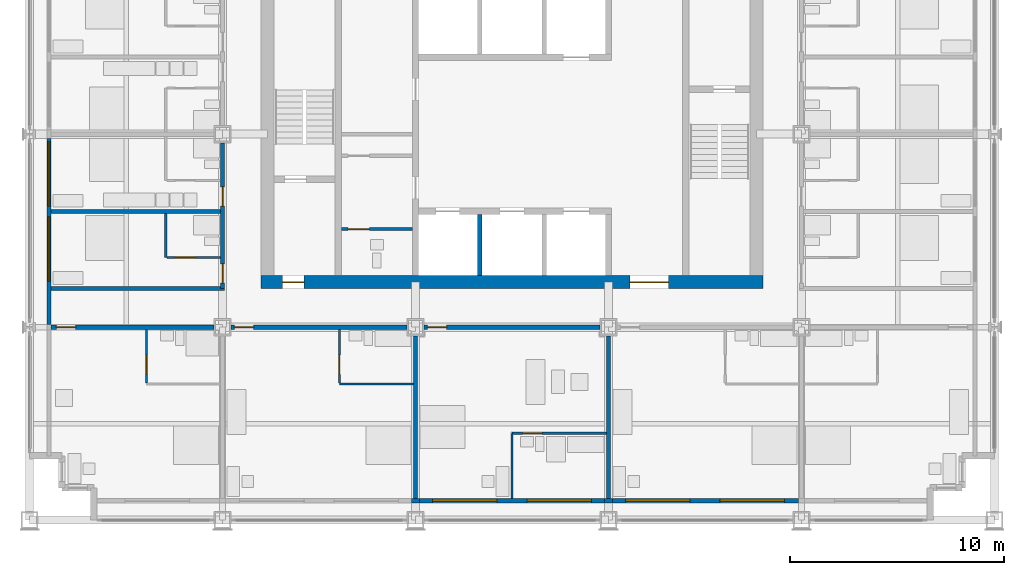
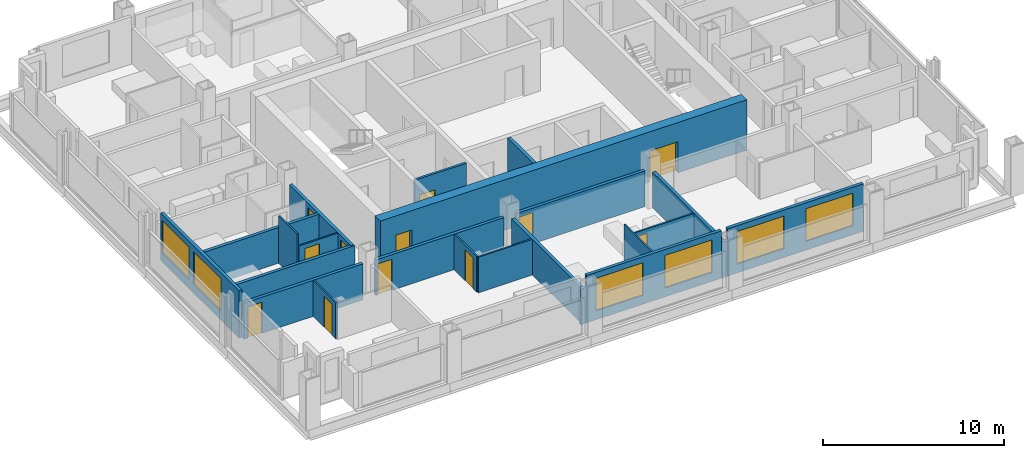
# One storey, part 9 of 16: 23 walls, 12 doors, 6 windows, 18 openings.
"""IFC4 building model written with IfcOpenShell, lengths in metres."""

import ifcopenshell
import ifcopenshell.guid

model = None  # the IFC model being written
_history = None  # IfcOwnerHistory: only IFC2X3 demands one
_inside = {}  # id of a spatial element -> (the spatial element, [elements in it])
_under = {}  # id of a project, library or spatial element -> (it, [spatial elements below it])
_declared = {}  # id of a project -> (the project, [libraries it declares])
_typed = {}  # id of a type object -> (the type object, [elements of that type])
_made_of = {}  # id of a material, layer set ... -> (it, [elements and type objects made of it])


def new_model(schema):
    """Start an empty IFC model of exactly this schema.

    Asked for "IFC4X3", IfcOpenShell would pick the latest addendum, in which some entities
    have other attributes; the version numbers below select the first issue.
    IFC2X3 requires an IfcOwnerHistory on every rooted entity: one is made here for all.
    """
    global model, _history
    if schema == "IFC4X3":
        model = ifcopenshell.file(schema_version=(4, 3, 0, 0))
    else:
        model = ifcopenshell.file(schema=schema)
    _inside.clear()
    _under.clear()
    _declared.clear()
    _typed.clear()
    _made_of.clear()
    _history = None
    if model.schema == "IFC2X3":
        org = make("IfcOrganization", Name="unknown")
        user = make(
            "IfcPersonAndOrganization",
            ThePerson=make("IfcPerson", FamilyName="unknown"),
            TheOrganization=org,
        )
        app = make(
            "IfcApplication",
            ApplicationDeveloper=org,
            Version="unknown",
            ApplicationFullName="unknown",
            ApplicationIdentifier="unknown",
        )
        _history = make(
            "IfcOwnerHistory",
            OwningUser=user,
            OwningApplication=app,
            ChangeAction="ADDED",
            CreationDate=0,
        )
    return model


def make(cls, **values):
    """One entity of the class cls with the attributes given. An attribute that is None is left unset."""
    return model.create_entity(
        cls, **{name: value for name, value in values.items() if value is not None}
    )


def rooted(cls, **values):
    """An entity with a GlobalId (a new one), such as an element, a storey or a relation."""
    return make(cls, GlobalId=ifcopenshell.guid.new(), OwnerHistory=_history, **values)


def si_unit(unit_type, name, prefix=None):
    """IfcSIUnit, for example si_unit("LENGTHUNIT", "METRE", prefix="MILLI")."""
    return make("IfcSIUnit", UnitType=unit_type, Prefix=prefix, Name=name)


def assignment(units):
    """IfcUnitAssignment: the units of a project."""
    return None if units is None else make("IfcUnitAssignment", Units=units)


def point(xyz):
    """IfcCartesianPoint."""
    return None if xyz is None else make("IfcCartesianPoint", Coordinates=xyz)


def direction(xyz):
    """IfcDirection."""
    return None if xyz is None else make("IfcDirection", DirectionRatios=xyz)


def frame(location, z_axis=None, x_axis=None):
    """IfcAxis2Placement3D, a coordinate frame: its origin and axes. An axis left out is left unset."""
    return make(
        "IfcAxis2Placement3D",
        Location=point(location),
        Axis=direction(z_axis),
        RefDirection=direction(x_axis),
    )


def frame_2d(location, x_axis=None):
    """IfcAxis2Placement2D, a coordinate frame in the plane: its origin and x axis."""
    return make(
        "IfcAxis2Placement2D", Location=point(location), RefDirection=direction(x_axis)
    )


def origin():
    """The frame at (0, 0, 0) with its axes left unset."""
    return frame((0.0, 0.0, 0.0))


def place(relative_to, where):
    """IfcLocalPlacement: puts the frame where relative to a parent placement (None: the world)."""
    return make(
        "IfcLocalPlacement", PlacementRelTo=relative_to, RelativePlacement=where
    )


def context(
    kind, dimensions, precision=None, world=None, true_north=None, identifier=None
):
    """IfcGeometricRepresentationContext, for example the 3D "Model" context."""
    return make(
        "IfcGeometricRepresentationContext",
        ContextIdentifier=identifier,
        ContextType=kind,
        CoordinateSpaceDimension=dimensions,
        Precision=precision,
        WorldCoordinateSystem=world,
        TrueNorth=true_north,
    )


def subcontext(parent, identifier, kind, view, scale=None):
    """IfcGeometricRepresentationSubContext, for example "Body" below "Model"."""
    return make(
        "IfcGeometricRepresentationSubContext",
        ContextIdentifier=identifier,
        ContextType=kind,
        ParentContext=parent,
        TargetScale=scale,
        TargetView=view,
    )


def project(units=None, contexts=None):
    """IfcProject with its units and contexts."""
    return rooted(
        "IfcProject",
        Name="project",
        RepresentationContexts=contexts,
        UnitsInContext=assignment(units),
    )


def spatial(cls, under=None, at=None, **own):
    """A site, building, storey or space (cls), placed at a placement, below another one or the project."""
    s = rooted(cls, ObjectPlacement=at, **own)
    if under is not None:
        _under.setdefault(under.id(), (under, []))[1].append(s)
    return s


def profile(cls, at=None, kind="AREA", **sizes):
    """A parametric profile (cls). Its sizes go by their IFC names, for example OverallWidth=200.0."""
    return make(cls, ProfileType=kind, Position=at, **sizes)


def rectangle(**sizes):
    """IfcRectangleProfileDef."""
    return profile("IfcRectangleProfileDef", **sizes)


def extrude(swept, where, along, depth):
    """IfcExtrudedAreaSolid: the profile swept, set in the frame where, extruded along a direction by depth."""
    return make(
        "IfcExtrudedAreaSolid",
        SweptArea=swept,
        Position=where,
        ExtrudedDirection=direction(along),
        Depth=depth,
    )


def shape(context_of_items, identifier, shape_type, items):
    """IfcShapeRepresentation: the items that make up one representation, for example the "Body"."""
    return make(
        "IfcShapeRepresentation",
        ContextOfItems=context_of_items,
        RepresentationIdentifier=identifier,
        RepresentationType=shape_type,
        Items=items,
    )


def material(Name=None, Category=None):
    """IfcMaterial."""
    return make("IfcMaterial", Name=Name, Category=Category)


def layer(
    of_material, thickness, ventilated=None, Name=None, Category=None, Priority=None
):
    """IfcMaterialLayer: one layer of a wall or slab, of a material (None: an air gap)."""
    return make(
        "IfcMaterialLayer",
        Material=of_material,
        LayerThickness=thickness,
        IsVentilated=ventilated,
        Name=Name,
        Category=Category,
        Priority=Priority,
    )


def layer_set(layers, Name=None):
    """IfcMaterialLayerSet."""
    return make("IfcMaterialLayerSet", MaterialLayers=layers, LayerSetName=Name)


def made_of(thing, what):
    """Note that an element or type object is made of a material, layer set ...; save() writes the relation."""
    if what is not None:
        _made_of.setdefault(what.id(), (what, []))[1].append(thing)
    return thing


def type_object(cls, material=None, **own):
    """A type object (cls), such as IfcWallType, which elements share."""
    return made_of(rooted(cls, **own), material)


def element(
    cls,
    number,
    at=None,
    inside=None,
    cuts=None,
    type_object=None,
    material=None,
    context=None,
    identifier="Body",
    shape_type=None,
    held_by="IfcProductDefinitionShape",
    body=None,
    shapes=None,
    **own,
):
    """One element of the class cls, such as IfcWall. Its Tag is "e" and its number.

    at: its placement. inside: the storey or other place that contains it. cuts: it is an
    opening in that element (IfcRelVoidsElement). A single representation is given by context,
    identifier, shape_type and body (its items); several are given by shapes. held_by: the class
    of the entity that holds the representations. save() writes the other relations.
    """
    e = rooted(cls, Tag="e%d" % number, ObjectPlacement=at, **own)
    if body is not None:
        shapes = [shape(context, identifier, shape_type, body)]
    if shapes is not None:
        e.Representation = make(held_by, Representations=shapes)
    if inside is not None:
        _inside.setdefault(inside.id(), (inside, []))[1].append(e)
    if cuts is not None:
        rooted(
            "IfcRelVoidsElement", RelatingBuildingElement=cuts, RelatedOpeningElement=e
        )
    if type_object is not None:
        _typed.setdefault(type_object.id(), (type_object, []))[1].append(e)
    return made_of(e, material)


def fill(opening, filler):
    """IfcRelFillsElement: the door or window that sits in an opening."""
    return rooted(
        "IfcRelFillsElement",
        RelatingOpeningElement=opening,
        RelatedBuildingElement=filler,
    )


def aggregate(whole, parts):
    """IfcRelAggregates: a whole, such as a stair, and the parts it consists of."""
    return rooted("IfcRelAggregates", RelatingObject=whole, RelatedObjects=parts)


def save(model, path):
    """Write the relations noted so far, then the file.

    IfcRelAggregates (storeys below a building ...), IfcRelContainedInSpatialStructure (elements
    in a storey), IfcRelDefinesByType, IfcRelAssociatesMaterial and IfcRelDeclares: one each for
    every whole, place, type object, material and project.
    """
    for whole, parts in _under.values():
        aggregate(whole, parts)
    for where, things in _inside.values():
        rooted(
            "IfcRelContainedInSpatialStructure",
            RelatedElements=things,
            RelatingStructure=where,
        )
    for kind, things in _typed.values():
        rooted("IfcRelDefinesByType", RelatedObjects=things, RelatingType=kind)
    for what, things in _made_of.values():
        rooted("IfcRelAssociatesMaterial", RelatedObjects=things, RelatingMaterial=what)
    for by, libraries in _declared.values():
        rooted("IfcRelDeclares", RelatingContext=by, RelatedDefinitions=libraries)
    model.write(path)


model = new_model("IFC4")

# Units and contexts
model_context = context("Model", 3, precision=1e-05, world=origin(), true_north=direction((0.0, 1.0)))
body_context = subcontext(model_context, "Body", "Model", "MODEL_VIEW")
ifc_project = project(units=[si_unit("LENGTHUNIT", "METRE"), si_unit("AREAUNIT", "SQUARE_METRE"), si_unit("VOLUMEUNIT", "CUBIC_METRE"), si_unit("PLANEANGLEUNIT", "RADIAN"), si_unit("MASSUNIT", "GRAM", prefix="KILO")], contexts=[model_context])

# Site, building, storey
site_placement = place(None, origin())
site = spatial("IfcSite", under=ifc_project, at=site_placement, CompositionType="ELEMENT")
building_placement = place(site_placement, origin())
building = spatial("IfcBuilding", under=site, at=building_placement, Name="Loomwork Tower", CompositionType="ELEMENT")
storey_placement = place(building_placement, frame((0.0, 0.0, 114.60009765625)))
storey = spatial("IfcBuildingStorey", under=building, at=storey_placement, Name="L30", CompositionType="ELEMENT", Elevation=114.60009765625)

# Wall, openings, doors
ifc_material_1 = material(Name="Concrete 14000 psi (97 MPa)", Category="concrete")
ifc_layer_1 = layer(ifc_material_1, 0.60009765625)
ifc_layer_set_1 = layer_set([ifc_layer_1], Name="Core shear wall 600")
wall_type_1 = type_object("IfcWallType", Name="Core shear wall 600", PredefinedType="SHEAR", material=ifc_layer_set_1)
wall_1_placement = place(storey_placement, frame((10.800048828125, 11.10009765625, 0.0), z_axis=(0.0, 0.0, 1.0), x_axis=(1.0, 0.0, 0.0)))
wall_1 = element("IfcWall", 1, at=wall_1_placement, inside=storey, type_object=wall_type_1, Name="Core wall south L30", PredefinedType="SHEAR", context=body_context, shape_type="SweptSolid", body=[
    extrude(rectangle(XDim=23.39990234375, YDim=0.60009765625, at=frame_2d((11.699951171875, 0.0))), origin(), (0.0, 0.0, 1.0), 3.39990234375),
])
opening_1_placement = place(wall_1_placement, frame((1.0, 0.0, 0.0)))
opening_1 = element("IfcOpeningElement", 2, at=opening_1_placement, cuts=wall_1, Name="Opening D4", PredefinedType="OPENING", context=body_context, shape_type="SweptSolid", body=[
    extrude(rectangle(XDim=1.0, YDim=2.10009765625, at=frame_2d((0.5, 1.050048828125))), frame((0.0, 0.31005859375, 0.0), z_axis=(0.0, -1.0, 0.0), x_axis=(1.0, 0.0, 0.0)), (0.0, 0.0, 1.0), 0.6201171875),
])
opening_2_placement = place(wall_1_placement, frame((17.199951171875, 0.0, 0.0)))
opening_2 = element("IfcOpeningElement", 3, at=opening_2_placement, cuts=wall_1, Name="Opening D6", PredefinedType="OPENING", context=body_context, shape_type="SweptSolid", body=[
    extrude(rectangle(XDim=1.800048828125, YDim=2.10009765625, at=frame_2d((0.89990234375, 1.050048828125))), frame((0.0, 0.31005859375, 0.0), z_axis=(0.0, -1.0, 0.0), x_axis=(1.0, 0.0, 0.0)), (0.0, 0.0, 1.0), 0.6201171875),
])
ifc_material_2 = material(Name="Hollow metal door and frame")
door_type_1 = type_object("IfcDoorType", Name="Lobby passage double door 1800", OperationType="DOUBLE_DOOR_SINGLE_SWING", PredefinedType="DOOR", material=ifc_material_2)
door_1_placement = place(opening_2_placement, origin())
door_1 = element("IfcDoor", 4, at=door_1_placement, inside=storey, type_object=door_type_1, Name="Lobby passage door south", OperationType="DOUBLE_DOOR_SINGLE_SWING", OverallHeight=2.10009765625, OverallWidth=1.800048828125, PredefinedType="DOOR", context=body_context, shape_type="SweptSolid", body=[
    extrude(rectangle(XDim=1.800048828125, YDim=2.10009765625, at=frame_2d((0.89990234375, 1.050048828125))), frame((0.0, 0.02490234375, 0.0), z_axis=(0.0, -1.0, 0.0), x_axis=(1.0, 0.0, 0.0)), (0.0, 0.0, 1.0), 0.050048828125),
])
fill(opening_2, door_1)
ifc_material_3 = material(Name="Hollow metal door and frame")
door_type_2 = type_object("IfcDoorType", Name="Stair door 1000", OperationType="SINGLE_SWING_RIGHT", PredefinedType="DOOR", material=ifc_material_3)
door_2_placement = place(opening_1_placement, origin())
door_2 = element("IfcDoor", 5, at=door_2_placement, inside=storey, type_object=door_type_2, Name="Stair A vestibule door", OperationType="SINGLE_SWING_LEFT", OverallHeight=2.10009765625, OverallWidth=1.0, PredefinedType="DOOR", context=body_context, shape_type="SweptSolid", body=[
    extrude(rectangle(XDim=1.0, YDim=2.10009765625, at=frame_2d((0.5, 1.050048828125))), frame((0.0, 0.02490234375, 0.0), z_axis=(0.0, -1.0, 0.0), x_axis=(1.0, 0.0, 0.0)), (0.0, 0.0, 1.0), 0.050048828125),
])
fill(opening_1, door_2)

# Wall, opening, door
ifc_material_4 = material(Name="Gypsum board on steel studs, one-hour", Category="steel")
ifc_layer_2 = layer(ifc_material_4, 0.199951171875)
ifc_layer_set_2 = layer_set([ifc_layer_2], Name="Corridor wall 200")
wall_type_2 = type_object("IfcWallType", Name="Corridor wall 200", PredefinedType="PARTITIONING", material=ifc_layer_set_2)
wall_2_placement = place(storey_placement, frame((1.0, 9.0, 0.0), z_axis=(0.0, 0.0, 1.0), x_axis=(1.0, 0.0, 0.0)))
wall_2 = element("IfcWall", 6, at=wall_2_placement, inside=storey, type_object=wall_type_2, Name="South corridor wall 1", PredefinedType="PARTITIONING", context=body_context, shape_type="SweptSolid", body=[
    extrude(rectangle(XDim=7.60009765625, YDim=0.199951171875, at=frame_2d((3.800048828125, 0.0))), origin(), (0.0, 0.0, 1.0), 2.43798828125),
])
opening_3_placement = place(wall_2_placement, frame((0.25, 0.0, 0.0)))
opening_3 = element("IfcOpeningElement", 7, at=opening_3_placement, cuts=wall_2, Name="Opening D1", PredefinedType="OPENING", context=body_context, shape_type="SweptSolid", body=[
    extrude(rectangle(XDim=0.89990234375, YDim=2.10009765625, at=frame_2d((0.449951171875, 1.050048828125))), frame((0.0, 0.10986328125, 0.0), z_axis=(0.0, -1.0, 0.0), x_axis=(1.0, 0.0, 0.0)), (0.0, 0.0, 1.0), 0.219970703125),
])
ifc_material_5 = material(Name="Hollow metal door and frame")
door_type_3 = type_object("IfcDoorType", Name="Guest room entry door 900", OperationType="SINGLE_SWING_LEFT", PredefinedType="DOOR", material=ifc_material_5)
door_3_placement = place(opening_3_placement, frame((0.89990234375, 0.0, 0.0), z_axis=(0.0, 0.0, 1.0), x_axis=(-1.0, 0.0, 0.0)))
door_3 = element("IfcDoor", 8, at=door_3_placement, inside=storey, type_object=door_type_3, Name="Guest room entry door L30 1", OperationType="SINGLE_SWING_RIGHT", OverallHeight=2.10009765625, OverallWidth=0.89990234375, PredefinedType="DOOR", context=body_context, shape_type="SweptSolid", body=[
    extrude(rectangle(XDim=0.89990234375, YDim=2.10009765625, at=frame_2d((0.449951171875, 1.050048828125))), frame((0.0, 0.02490234375, 0.0), z_axis=(0.0, -1.0, 0.0), x_axis=(1.0, 0.0, 0.0)), (0.0, 0.0, 1.0), 0.050048828125),
])
fill(opening_3, door_3)

wall_3_placement = place(storey_placement, frame((9.39990234375, 9.0, 0.0), z_axis=(0.0, 0.0, 1.0), x_axis=(1.0, 0.0, 0.0)))
wall_3 = element("IfcWall", 9, at=wall_3_placement, inside=storey, type_object=wall_type_2, Name="South corridor wall 2", PredefinedType="PARTITIONING", context=body_context, shape_type="SweptSolid", body=[
    extrude(rectangle(XDim=8.2001953125, YDim=0.199951171875, at=frame_2d((4.10009765625, 0.0))), origin(), (0.0, 0.0, 1.0), 2.40478515625),
])
opening_4_placement = place(wall_3_placement, frame((0.14990234375, 0.0, 0.0)))
opening_4 = element("IfcOpeningElement", 10, at=opening_4_placement, cuts=wall_3, Name="Opening D1", PredefinedType="OPENING", context=body_context, shape_type="SweptSolid", body=[
    extrude(rectangle(XDim=0.89990234375, YDim=2.10009765625, at=frame_2d((0.449951171875, 1.050048828125))), frame((0.0, 0.10986328125, 0.0), z_axis=(0.0, -1.0, 0.0), x_axis=(1.0, 0.0, 0.0)), (0.0, 0.0, 1.0), 0.219970703125),
])
door_4_placement = place(opening_4_placement, frame((0.89990234375, 0.0, 0.0), z_axis=(0.0, 0.0, 1.0), x_axis=(-1.0, 0.0, 0.0)))
door_4 = element("IfcDoor", 11, at=door_4_placement, inside=storey, type_object=door_type_3, Name="Guest room entry door L30 2", OperationType="SINGLE_SWING_RIGHT", OverallHeight=2.10009765625, OverallWidth=0.89990234375, PredefinedType="DOOR", context=body_context, shape_type="SweptSolid", body=[
    extrude(rectangle(XDim=0.89990234375, YDim=2.10009765625, at=frame_2d((0.449951171875, 1.050048828125))), frame((0.0, 0.02490234375, 0.0), z_axis=(0.0, -1.0, 0.0), x_axis=(1.0, 0.0, 0.0)), (0.0, 0.0, 1.0), 0.050048828125),
])
fill(opening_4, door_4)

wall_4_placement = place(storey_placement, frame((18.39990234375, 9.0, 0.0), z_axis=(0.0, 0.0, 1.0), x_axis=(1.0, 0.0, 0.0)))
wall_4 = element("IfcWall", 12, at=wall_4_placement, inside=storey, type_object=wall_type_2, Name="South corridor wall 3", PredefinedType="PARTITIONING", context=body_context, shape_type="SweptSolid", body=[
    extrude(rectangle(XDim=8.2001953125, YDim=0.199951171875, at=frame_2d((4.10009765625, 0.0))), origin(), (0.0, 0.0, 1.0), 2.40478515625),
])
opening_5_placement = place(wall_4_placement, frame((0.14990234375, 0.0, 0.0)))
opening_5 = element("IfcOpeningElement", 13, at=opening_5_placement, cuts=wall_4, Name="Opening D1", PredefinedType="OPENING", context=body_context, shape_type="SweptSolid", body=[
    extrude(rectangle(XDim=0.89990234375, YDim=2.10009765625, at=frame_2d((0.449951171875, 1.050048828125))), frame((0.0, 0.10986328125, 0.0), z_axis=(0.0, -1.0, 0.0), x_axis=(1.0, 0.0, 0.0)), (0.0, 0.0, 1.0), 0.219970703125),
])
door_5_placement = place(opening_5_placement, frame((0.89990234375, 0.0, 0.0), z_axis=(0.0, 0.0, 1.0), x_axis=(-1.0, 0.0, 0.0)))
door_5 = element("IfcDoor", 14, at=door_5_placement, inside=storey, type_object=door_type_3, Name="Guest room entry door L30 3", OperationType="SINGLE_SWING_RIGHT", OverallHeight=2.10009765625, OverallWidth=0.89990234375, PredefinedType="DOOR", context=body_context, shape_type="SweptSolid", body=[
    extrude(rectangle(XDim=0.89990234375, YDim=2.10009765625, at=frame_2d((0.449951171875, 1.050048828125))), frame((0.0, 0.02490234375, 0.0), z_axis=(0.0, -1.0, 0.0), x_axis=(1.0, 0.0, 0.0)), (0.0, 0.0, 1.0), 0.050048828125),
])
fill(opening_5, door_5)

# Wall, openings, doors
wall_5_placement = place(storey_placement, frame((9.0, 10.800048828125, 0.0), z_axis=(0.0, 0.0, 1.0), x_axis=(0.0, 1.0, 0.0)))
wall_5 = element("IfcWall", 15, at=wall_5_placement, inside=storey, type_object=wall_type_2, Name="West corridor wall 1", PredefinedType="PARTITIONING", context=body_context, shape_type="SweptSolid", body=[
    extrude(rectangle(XDim=6.800048828125, YDim=0.199951171875, at=frame_2d((3.39990234375, 0.0))), origin(), (0.0, 0.0, 1.0), 2.40478515625),
])
opening_6_placement = place(wall_5_placement, frame((0.25, 0.0, 0.0)))
opening_6 = element("IfcOpeningElement", 16, at=opening_6_placement, cuts=wall_5, Name="Opening D1", PredefinedType="OPENING", context=body_context, shape_type="SweptSolid", body=[
    extrude(rectangle(XDim=0.89990234375, YDim=2.10009765625, at=frame_2d((0.449951171875, 1.050048828125))), frame((0.0, 0.10986328125, 0.0), z_axis=(0.0, -1.0, 0.0), x_axis=(1.0, 0.0, 0.0)), (0.0, 0.0, 1.0), 0.219970703125),
])
opening_7_placement = place(wall_5_placement, frame((3.85009765625, 0.0, 0.0)))
opening_7 = element("IfcOpeningElement", 17, at=opening_7_placement, cuts=wall_5, Name="Opening D1", PredefinedType="OPENING", context=body_context, shape_type="SweptSolid", body=[
    extrude(rectangle(XDim=0.89990234375, YDim=2.10009765625, at=frame_2d((0.449951171875, 1.050048828125))), frame((0.0, 0.10986328125, 0.0), z_axis=(0.0, -1.0, 0.0), x_axis=(1.0, 0.0, 0.0)), (0.0, 0.0, 1.0), 0.219970703125),
])
door_6_placement = place(opening_6_placement, origin())
door_6 = element("IfcDoor", 18, at=door_6_placement, inside=storey, type_object=door_type_3, Name="Guest room entry door L30 11", OperationType="SINGLE_SWING_LEFT", OverallHeight=2.10009765625, OverallWidth=0.89990234375, PredefinedType="DOOR", context=body_context, shape_type="SweptSolid", body=[
    extrude(rectangle(XDim=0.89990234375, YDim=2.10009765625, at=frame_2d((0.449951171875, 1.050048828125))), frame((0.0, 0.02490234375, 0.0), z_axis=(0.0, -1.0, 0.0), x_axis=(1.0, 0.0, 0.0)), (0.0, 0.0, 1.0), 0.050048828125),
])
fill(opening_6, door_6)
door_7_placement = place(opening_7_placement, origin())
door_7 = element("IfcDoor", 19, at=door_7_placement, inside=storey, type_object=door_type_3, Name="Guest room entry door L30 12", OperationType="SINGLE_SWING_LEFT", OverallHeight=2.10009765625, OverallWidth=0.89990234375, PredefinedType="DOOR", context=body_context, shape_type="SweptSolid", body=[
    extrude(rectangle(XDim=0.89990234375, YDim=2.10009765625, at=frame_2d((0.449951171875, 1.050048828125))), frame((0.0, 0.02490234375, 0.0), z_axis=(0.0, -1.0, 0.0), x_axis=(1.0, 0.0, 0.0)), (0.0, 0.0, 1.0), 0.050048828125),
])
fill(opening_7, door_7)

# Wall
wall_6_placement = place(storey_placement, frame((1.0, 10.800048828125, 0.0), z_axis=(0.0, 0.0, 1.0), x_axis=(1.0, 0.0, 0.0)))
element("IfcWall", 20, at=wall_6_placement, inside=storey, type_object=wall_type_2, Name="West band end wall S", PredefinedType="PARTITIONING", context=body_context, shape_type="SweptSolid", body=[
    extrude(rectangle(XDim=8.10009765625, YDim=0.199951171875, at=frame_2d((4.050048828125, 0.0))), origin(), (0.0, 0.0, 1.0), 2.40380859375),
])

# Wall, opening, door
ifc_material_6 = material(Name="Cement board on steel studs", Category="steel")
ifc_layer_3 = layer(ifc_material_6, 0.10009765625)
ifc_layer_set_3 = layer_set([ifc_layer_3], Name="En-suite partition 100")
wall_type_3 = type_object("IfcWallType", Name="En-suite partition 100", PredefinedType="PARTITIONING", material=ifc_layer_set_3)
wall_7_placement = place(storey_placement, frame((5.449951171875, 8.89990234375, 0.0), z_axis=(0.0, 0.0, 1.0), x_axis=(0.0, -1.0, 0.0)))
wall_7 = element("IfcWall", 21, at=wall_7_placement, inside=storey, type_object=wall_type_3, Name="En-suite side wall L30 room 1", PredefinedType="PARTITIONING", context=body_context, shape_type="SweptSolid", body=[
    extrude(rectangle(XDim=2.5, YDim=0.10009765625, at=frame_2d((1.25, 0.0))), origin(), (0.0, 0.0, 1.0), 2.43798828125),
])
opening_8_placement = place(wall_7_placement, frame((1.199951171875, 0.0, 0.0)))
opening_8 = element("IfcOpeningElement", 22, at=opening_8_placement, cuts=wall_7, Name="Opening D3", PredefinedType="OPENING", context=body_context, shape_type="SweptSolid", body=[
    extrude(rectangle(XDim=0.89990234375, YDim=2.10009765625, at=frame_2d((0.449951171875, 1.050048828125))), frame((0.0, 0.06005859375, 0.0), z_axis=(0.0, -1.0, 0.0), x_axis=(1.0, 0.0, 0.0)), (0.0, 0.0, 1.0), 0.1201171875),
])
ifc_material_7 = material(Name="Hollow metal door and frame")
door_type_4 = type_object("IfcDoorType", Name="Accessible en-suite door 900", OperationType="SLIDING_TO_LEFT", PredefinedType="DOOR", material=ifc_material_7)
door_8_placement = place(opening_8_placement, origin())
door_8 = element("IfcDoor", 23, at=door_8_placement, inside=storey, type_object=door_type_4, Name="Accessible en-suite door room 1", OperationType="SLIDING_TO_LEFT", OverallHeight=2.10009765625, OverallWidth=0.89990234375, PredefinedType="DOOR", context=body_context, shape_type="SweptSolid", body=[
    extrude(rectangle(XDim=0.89990234375, YDim=2.10009765625, at=frame_2d((0.449951171875, 1.050048828125))), frame((0.0, 0.02490234375, 0.0), z_axis=(0.0, -1.0, 0.0), x_axis=(1.0, 0.0, 0.0)), (0.0, 0.0, 1.0), 0.050048828125),
])
fill(opening_8, door_8)

# Wall
wall_8_placement = place(storey_placement, frame((14.449951171875, 6.35009765625, 0.0), z_axis=(0.0, 0.0, 1.0), x_axis=(1.0, 0.0, 0.0)))
element("IfcWall", 24, at=wall_8_placement, inside=storey, type_object=wall_type_3, Name="En-suite wall L30 room 2", PredefinedType="PARTITIONING", context=body_context, shape_type="SweptSolid", body=[
    extrude(rectangle(XDim=3.449951171875, YDim=0.10009765625, at=frame_2d((1.72509765625, 0.0))), origin(), (0.0, 0.0, 1.0), 2.40380859375),
])

# Wall, opening, door
wall_9_placement = place(storey_placement, frame((14.449951171875, 8.89990234375, 0.0), z_axis=(0.0, 0.0, 1.0), x_axis=(0.0, -1.0, 0.0)))
wall_9 = element("IfcWall", 25, at=wall_9_placement, inside=storey, type_object=wall_type_3, Name="En-suite side wall L30 room 2", PredefinedType="PARTITIONING", context=body_context, shape_type="SweptSolid", body=[
    extrude(rectangle(XDim=2.5, YDim=0.10009765625, at=frame_2d((1.25, 0.0))), origin(), (0.0, 0.0, 1.0), 2.40380859375),
])
opening_9_placement = place(wall_9_placement, frame((1.199951171875, 0.0, 0.0)))
opening_9 = element("IfcOpeningElement", 26, at=opening_9_placement, cuts=wall_9, Name="Opening D2", PredefinedType="OPENING", context=body_context, shape_type="SweptSolid", body=[
    extrude(rectangle(XDim=0.89990234375, YDim=2.10009765625, at=frame_2d((0.449951171875, 1.050048828125))), frame((0.0, 0.06005859375, 0.0), z_axis=(0.0, -1.0, 0.0), x_axis=(1.0, 0.0, 0.0)), (0.0, 0.0, 1.0), 0.1201171875),
])
ifc_material_8 = material(Name="Hollow metal door and frame")
door_type_5 = type_object("IfcDoorType", Name="En-suite door 900", OperationType="SINGLE_SWING_LEFT", PredefinedType="DOOR", material=ifc_material_8)
door_9_placement = place(opening_9_placement, origin())
door_9 = element("IfcDoor", 27, at=door_9_placement, inside=storey, type_object=door_type_5, Name="En-suite door room 2", OperationType="SINGLE_SWING_RIGHT", OverallHeight=2.10009765625, OverallWidth=0.89990234375, PredefinedType="DOOR", context=body_context, shape_type="SweptSolid", body=[
    extrude(rectangle(XDim=0.89990234375, YDim=2.10009765625, at=frame_2d((0.449951171875, 1.050048828125))), frame((0.0, 0.02490234375, 0.0), z_axis=(0.0, -1.0, 0.0), x_axis=(1.0, 0.0, 0.0)), (0.0, 0.0, 1.0), 0.050048828125),
])
fill(opening_9, door_9)

wall_10_placement = place(storey_placement, frame((22.5, 4.050048828125, 0.0), z_axis=(0.0, 0.0, 1.0), x_axis=(1.0, 0.0, 0.0)))
wall_10 = element("IfcWall", 28, at=wall_10_placement, inside=storey, type_object=wall_type_3, Name="Spa bathroom wall L30 room 3", PredefinedType="PARTITIONING", context=body_context, shape_type="SweptSolid", body=[
    extrude(rectangle(XDim=4.39990234375, YDim=0.10009765625, at=frame_2d((2.199951171875, 0.0))), origin(), (0.0, 0.0, 1.0), 2.40380859375),
])
opening_10_placement = place(wall_10_placement, frame((0.5, 0.0, 0.0)))
opening_10 = element("IfcOpeningElement", 29, at=opening_10_placement, cuts=wall_10, Name="Opening D2", PredefinedType="OPENING", context=body_context, shape_type="SweptSolid", body=[
    extrude(rectangle(XDim=0.89990234375, YDim=2.10009765625, at=frame_2d((0.449951171875, 1.050048828125))), frame((0.0, 0.06005859375, 0.0), z_axis=(0.0, -1.0, 0.0), x_axis=(1.0, 0.0, 0.0)), (0.0, 0.0, 1.0), 0.1201171875),
])
door_10_placement = place(opening_10_placement, frame((0.89990234375, 0.0, 0.0), z_axis=(0.0, 0.0, 1.0), x_axis=(-1.0, 0.0, 0.0)))
door_10 = element("IfcDoor", 30, at=door_10_placement, inside=storey, type_object=door_type_5, Name="Spa bathroom door room 3", OperationType="SINGLE_SWING_RIGHT", OverallHeight=2.10009765625, OverallWidth=0.89990234375, PredefinedType="DOOR", context=body_context, shape_type="SweptSolid", body=[
    extrude(rectangle(XDim=0.89990234375, YDim=2.10009765625, at=frame_2d((0.449951171875, 1.050048828125))), frame((0.0, 0.02490234375, 0.0), z_axis=(0.0, -1.0, 0.0), x_axis=(1.0, 0.0, 0.0)), (0.0, 0.0, 1.0), 0.050048828125),
])
fill(opening_10, door_10)

# Walls
wall_11_placement = place(storey_placement, frame((22.5, 4.050048828125, 0.0), z_axis=(0.0, 0.0, 1.0), x_axis=(0.0, -1.0, 0.0)))
element("IfcWall", 31, at=wall_11_placement, inside=storey, type_object=wall_type_3, Name="Spa bathroom side wall L30 room 3", PredefinedType="PARTITIONING", context=body_context, shape_type="SweptSolid", body=[
    extrude(rectangle(XDim=3.050048828125, YDim=0.10009765625, at=frame_2d((1.52490234375, 0.0))), origin(), (0.0, 0.0, 1.0), 3.199951171875),
])
wall_12_placement = place(storey_placement, frame((6.35009765625, 12.25, 0.0), z_axis=(0.0, 0.0, 1.0), x_axis=(0.0, 1.0, 0.0)))
element("IfcWall", 32, at=wall_12_placement, inside=storey, type_object=wall_type_3, Name="En-suite wall L30 room 11", PredefinedType="PARTITIONING", context=body_context, shape_type="SweptSolid", body=[
    extrude(rectangle(XDim=2.050048828125, YDim=0.10009765625, at=frame_2d((1.02490234375, 0.0))), origin(), (0.0, 0.0, 1.0), 3.199951171875),
])

# Wall, opening, door
wall_13_placement = place(storey_placement, frame((8.89990234375, 12.25, 0.0), z_axis=(0.0, 0.0, 1.0), x_axis=(-1.0, 0.0, 0.0)))
wall_13 = element("IfcWall", 33, at=wall_13_placement, inside=storey, type_object=wall_type_3, Name="En-suite side wall L30 room 11", PredefinedType="PARTITIONING", context=body_context, shape_type="SweptSolid", body=[
    extrude(rectangle(XDim=2.5, YDim=0.10009765625, at=frame_2d((1.25, 0.0))), origin(), (0.0, 0.0, 1.0), 2.40380859375),
])
opening_11_placement = place(wall_13_placement, frame((1.199951171875, 0.0, 0.0)))
opening_11 = element("IfcOpeningElement", 34, at=opening_11_placement, cuts=wall_13, Name="Opening D2", PredefinedType="OPENING", context=body_context, shape_type="SweptSolid", body=[
    extrude(rectangle(XDim=0.89990234375, YDim=2.10009765625, at=frame_2d((0.449951171875, 1.050048828125))), frame((0.0, 0.06005859375, 0.0), z_axis=(0.0, -1.0, 0.0), x_axis=(1.0, 0.0, 0.0)), (0.0, 0.0, 1.0), 0.1201171875),
])
door_11_placement = place(opening_11_placement, frame((0.89990234375, 0.0, 0.0), z_axis=(0.0, 0.0, 1.0), x_axis=(-1.0, 0.0, 0.0)))
door_11 = element("IfcDoor", 35, at=door_11_placement, inside=storey, type_object=door_type_5, Name="En-suite door room 11", OperationType="SINGLE_SWING_LEFT", OverallHeight=2.10009765625, OverallWidth=0.89990234375, PredefinedType="DOOR", context=body_context, shape_type="SweptSolid", body=[
    extrude(rectangle(XDim=0.89990234375, YDim=2.10009765625, at=frame_2d((0.449951171875, 1.050048828125))), frame((0.0, 0.02490234375, 0.0), z_axis=(0.0, -1.0, 0.0), x_axis=(1.0, 0.0, 0.0)), (0.0, 0.0, 1.0), 0.050048828125),
])
fill(opening_11, door_11)

# Walls
ifc_material_9 = material(Name="Gypsum board on steel studs, acoustic", Category="steel")
ifc_layer_4 = layer(ifc_material_9, 0.199951171875)
ifc_layer_set_4 = layer_set([ifc_layer_4], Name="Guest room party wall 200")
wall_type_4 = type_object("IfcWallType", Name="Guest room party wall 200", PredefinedType="PARTITIONING", material=ifc_layer_set_4)
for number, where, z_axis, x_axis, name in (
    (36, (18.0, 8.60009765625, 0.0), (0.0, 0.0, 1.0), (0.0, -1.0, 0.0), "Guest room party wall S 18"),
    (37, (27.0, 8.60009765625, 0.0), (0.0, 0.0, 1.0), (0.0, -1.0, 0.0), "Guest room party wall S 27"),
):
    element("IfcWall", number, at=place(storey_placement, frame(where, z_axis=z_axis, x_axis=x_axis)), inside=storey, type_object=wall_type_4, Name=name, PredefinedType="PARTITIONING", context=body_context, shape_type="SweptSolid", body=[
        extrude(rectangle(XDim=7.60009765625, YDim=0.199951171875, at=frame_2d((3.800048828125, 0.0))), origin(), (0.0, 0.0, 1.0), 2.40478515625),
    ])
wall_14_placement = place(storey_placement, frame((8.89990234375, 14.39990234375, 0.0), z_axis=(0.0, 0.0, 1.0), x_axis=(-1.0, 0.0, 0.0)))
element("IfcWall", 38, at=wall_14_placement, inside=storey, type_object=wall_type_4, Name="Guest room party wall W 14.4", PredefinedType="PARTITIONING", context=body_context, shape_type="SweptSolid", body=[
    extrude(rectangle(XDim=7.89990234375, YDim=0.199951171875, at=frame_2d((3.949951171875, 0.0))), origin(), (0.0, 0.0, 1.0), 2.40380859375),
])
ifc_material_10 = material(Name="Insulated steel stud wall with gypsum lining", Category="steel")
ifc_layer_5 = layer(ifc_material_10, 0.199951171875)
ifc_layer_set_5 = layer_set([ifc_layer_5], Name="Inner skin wall 200")
wall_type_5 = type_object("IfcWallType", Name="Inner skin wall 200", PredefinedType="SOLIDWALL", material=ifc_layer_set_5)
wall_15_placement = place(storey_placement, frame((17.80615234375, 0.89990234375, 0.0), z_axis=(0.0, 0.0, 1.0), x_axis=(1.0, 0.0, 0.0)))
element("IfcWall", 39, at=wall_15_placement, inside=storey, type_object=wall_type_5, Name="Inner skin wall S bay 4", PredefinedType="SOLIDWALL", context=body_context, shape_type="SweptSolid", body=[
    extrude(rectangle(XDim=0.3876953125, YDim=0.199951171875, at=frame_2d((0.19384765625, 0.0))), origin(), (0.0, 0.0, 1.0), 2.40380859375),
])

# Wall, openings, windows
wall_16_placement = place(storey_placement, frame((18.19384765625, 0.89990234375, 0.0), z_axis=(0.0, 0.0, 1.0), x_axis=(1.0, 0.0, 0.0)))
wall_16 = element("IfcWall", 40, at=wall_16_placement, inside=storey, type_object=wall_type_5, Name="Inner skin wall S bay 5", PredefinedType="SOLIDWALL", context=body_context, shape_type="SweptSolid", body=[
    extrude(rectangle(XDim=8.6123046875, YDim=0.199951171875, at=frame_2d((4.30615234375, 0.0))), origin(), (0.0, 0.0, 1.0), 3.199951171875),
])
opening_12_placement = place(wall_16_placement, frame((0.606201171875, 0.0, 0.60009765625)))
opening_12 = element("IfcOpeningElement", 41, at=opening_12_placement, cuts=wall_16, Name="Opening CH1", PredefinedType="OPENING", context=body_context, shape_type="SweptSolid", body=[
    extrude(rectangle(XDim=3.0, YDim=2.199951171875, at=frame_2d((1.5, 1.10009765625))), frame((0.0, 0.10986328125, 0.0), z_axis=(0.0, -1.0, 0.0), x_axis=(1.0, 0.0, 0.0)), (0.0, 0.0, 1.0), 0.219970703125),
])
opening_13_placement = place(wall_16_placement, frame((5.006103515625, 0.0, 0.60009765625)))
opening_13 = element("IfcOpeningElement", 42, at=opening_13_placement, cuts=wall_16, Name="Opening CH1", PredefinedType="OPENING", context=body_context, shape_type="SweptSolid", body=[
    extrude(rectangle(XDim=3.0, YDim=2.199951171875, at=frame_2d((1.5, 1.10009765625))), frame((0.0, 0.10986328125, 0.0), z_axis=(0.0, -1.0, 0.0), x_axis=(1.0, 0.0, 0.0)), (0.0, 0.0, 1.0), 0.219970703125),
])
ifc_material_11 = material(Name="Aluminium frame with clear insulated glass", Category="aluminium")
window_type = type_object("IfcWindowType", Name="Chicago window 3000", PartitioningType="TRIPLE_PANEL_VERTICAL", PredefinedType="WINDOW", material=ifc_material_11)
window_1_placement = place(opening_12_placement, origin())
window_1 = element("IfcWindow", 43, at=window_1_placement, inside=storey, type_object=window_type, Name="Chicago window L30 bay 3", OverallHeight=2.199951171875, OverallWidth=3.0, PartitioningType="TRIPLE_PANEL_VERTICAL", PredefinedType="WINDOW", context=body_context, shape_type="SweptSolid", body=[
    extrude(rectangle(XDim=3.0, YDim=2.199951171875, at=frame_2d((1.5, 1.10009765625))), frame((0.0, 0.030029296875, 0.0), z_axis=(0.0, -1.0, 0.0), x_axis=(1.0, 0.0, 0.0)), (0.0, 0.0, 1.0), 0.06005859375),
])
fill(opening_12, window_1)
window_2_placement = place(opening_13_placement, origin())
window_2 = element("IfcWindow", 44, at=window_2_placement, inside=storey, type_object=window_type, Name="Chicago window L30 bay 3", OverallHeight=2.199951171875, OverallWidth=3.0, PartitioningType="TRIPLE_PANEL_VERTICAL", PredefinedType="WINDOW", context=body_context, shape_type="SweptSolid", body=[
    extrude(rectangle(XDim=3.0, YDim=2.199951171875, at=frame_2d((1.5, 1.10009765625))), frame((0.0, 0.030029296875, 0.0), z_axis=(0.0, -1.0, 0.0), x_axis=(1.0, 0.0, 0.0)), (0.0, 0.0, 1.0), 0.06005859375),
])
fill(opening_13, window_2)

# Wall
wall_17_placement = place(storey_placement, frame((26.80615234375, 0.89990234375, 0.0), z_axis=(0.0, 0.0, 1.0), x_axis=(1.0, 0.0, 0.0)))
element("IfcWall", 45, at=wall_17_placement, inside=storey, type_object=wall_type_5, Name="Inner skin wall S bay 6", PredefinedType="SOLIDWALL", context=body_context, shape_type="SweptSolid", body=[
    extrude(rectangle(XDim=0.3876953125, YDim=0.199951171875, at=frame_2d((0.19384765625, 0.0))), origin(), (0.0, 0.0, 1.0), 2.40380859375),
])

# Wall, openings, windows
wall_18_placement = place(storey_placement, frame((27.19384765625, 0.89990234375, 0.0), z_axis=(0.0, 0.0, 1.0), x_axis=(1.0, 0.0, 0.0)))
wall_18 = element("IfcWall", 46, at=wall_18_placement, inside=storey, type_object=wall_type_5, Name="Inner skin wall S bay 7", PredefinedType="SOLIDWALL", context=body_context, shape_type="SweptSolid", body=[
    extrude(rectangle(XDim=8.670654296875, YDim=0.199951171875, at=frame_2d((4.33544921875, 0.0))), origin(), (0.0, 0.0, 1.0), 3.199951171875),
])
opening_14_placement = place(wall_18_placement, frame((0.606201171875, 0.0, 0.60009765625)))
opening_14 = element("IfcOpeningElement", 47, at=opening_14_placement, cuts=wall_18, Name="Opening CH1", PredefinedType="OPENING", context=body_context, shape_type="SweptSolid", body=[
    extrude(rectangle(XDim=3.0, YDim=2.199951171875, at=frame_2d((1.5, 1.10009765625))), frame((0.0, 0.10986328125, 0.0), z_axis=(0.0, -1.0, 0.0), x_axis=(1.0, 0.0, 0.0)), (0.0, 0.0, 1.0), 0.219970703125),
])
opening_15_placement = place(wall_18_placement, frame((5.006103515625, 0.0, 0.60009765625)))
opening_15 = element("IfcOpeningElement", 48, at=opening_15_placement, cuts=wall_18, Name="Opening CH1", PredefinedType="OPENING", context=body_context, shape_type="SweptSolid", body=[
    extrude(rectangle(XDim=3.0, YDim=2.199951171875, at=frame_2d((1.5, 1.10009765625))), frame((0.0, 0.10986328125, 0.0), z_axis=(0.0, -1.0, 0.0), x_axis=(1.0, 0.0, 0.0)), (0.0, 0.0, 1.0), 0.219970703125),
])
window_3_placement = place(opening_14_placement, origin())
window_3 = element("IfcWindow", 49, at=window_3_placement, inside=storey, type_object=window_type, Name="Chicago window L30 bay 4", OverallHeight=2.199951171875, OverallWidth=3.0, PartitioningType="TRIPLE_PANEL_VERTICAL", PredefinedType="WINDOW", context=body_context, shape_type="SweptSolid", body=[
    extrude(rectangle(XDim=3.0, YDim=2.199951171875, at=frame_2d((1.5, 1.10009765625))), frame((0.0, 0.030029296875, 0.0), z_axis=(0.0, -1.0, 0.0), x_axis=(1.0, 0.0, 0.0)), (0.0, 0.0, 1.0), 0.06005859375),
])
fill(opening_14, window_3)
window_4_placement = place(opening_15_placement, origin())
window_4 = element("IfcWindow", 50, at=window_4_placement, inside=storey, type_object=window_type, Name="Chicago window L30 bay 4", OverallHeight=2.199951171875, OverallWidth=3.0, PartitioningType="TRIPLE_PANEL_VERTICAL", PredefinedType="WINDOW", context=body_context, shape_type="SweptSolid", body=[
    extrude(rectangle(XDim=3.0, YDim=2.199951171875, at=frame_2d((1.5, 1.10009765625))), frame((0.0, 0.030029296875, 0.0), z_axis=(0.0, -1.0, 0.0), x_axis=(1.0, 0.0, 0.0)), (0.0, 0.0, 1.0), 0.06005859375),
])
fill(opening_15, window_4)

wall_19_placement = place(storey_placement, frame((0.89990234375, 9.13525390625, 0.0), z_axis=(0.0, 0.0, 1.0), x_axis=(0.0, 1.0, 0.0)))
wall_19 = element("IfcWall", 51, at=wall_19_placement, inside=storey, type_object=wall_type_5, Name="Inner skin wall W bay 5", PredefinedType="SOLIDWALL", context=body_context, shape_type="SweptSolid", body=[
    extrude(rectangle(XDim=8.6708984375, YDim=0.199951171875, at=frame_2d((4.33544921875, 0.0))), origin(), (0.0, 0.0, 1.0), 3.199951171875),
])
opening_16_placement = place(wall_19_placement, frame((2.0146484375, 0.0, 0.60009765625)))
opening_16 = element("IfcOpeningElement", 52, at=opening_16_placement, cuts=wall_19, Name="Opening CH1", PredefinedType="OPENING", context=body_context, shape_type="SweptSolid", body=[
    extrude(rectangle(XDim=3.0, YDim=2.199951171875, at=frame_2d((1.5, 1.10009765625))), frame((0.0, 0.10986328125, 0.0), z_axis=(0.0, -1.0, 0.0), x_axis=(1.0, 0.0, 0.0)), (0.0, 0.0, 1.0), 0.219970703125),
])
opening_17_placement = place(wall_19_placement, frame((5.5146484375, 0.0, 0.60009765625)))
opening_17 = element("IfcOpeningElement", 53, at=opening_17_placement, cuts=wall_19, Name="Opening CH1", PredefinedType="OPENING", context=body_context, shape_type="SweptSolid", body=[
    extrude(rectangle(XDim=3.0, YDim=2.199951171875, at=frame_2d((1.5, 1.10009765625))), frame((0.0, 0.10986328125, 0.0), z_axis=(0.0, -1.0, 0.0), x_axis=(1.0, 0.0, 0.0)), (0.0, 0.0, 1.0), 0.219970703125),
])
window_5_placement = place(opening_16_placement, origin())
window_5 = element("IfcWindow", 54, at=window_5_placement, inside=storey, type_object=window_type, Name="Chicago window L30 bay 11", OverallHeight=2.199951171875, OverallWidth=3.0, PartitioningType="TRIPLE_PANEL_VERTICAL", PredefinedType="WINDOW", context=body_context, shape_type="SweptSolid", body=[
    extrude(rectangle(XDim=3.0, YDim=2.199951171875, at=frame_2d((1.5, 1.10009765625))), frame((0.0, 0.030029296875, 0.0), z_axis=(0.0, -1.0, 0.0), x_axis=(1.0, 0.0, 0.0)), (0.0, 0.0, 1.0), 0.06005859375),
])
fill(opening_16, window_5)
window_6_placement = place(opening_17_placement, origin())
window_6 = element("IfcWindow", 55, at=window_6_placement, inside=storey, type_object=window_type, Name="Chicago window L30 bay 11", OverallHeight=2.199951171875, OverallWidth=3.0, PartitioningType="TRIPLE_PANEL_VERTICAL", PredefinedType="WINDOW", context=body_context, shape_type="SweptSolid", body=[
    extrude(rectangle(XDim=3.0, YDim=2.199951171875, at=frame_2d((1.5, 1.10009765625))), frame((0.0, 0.030029296875, 0.0), z_axis=(0.0, -1.0, 0.0), x_axis=(1.0, 0.0, 0.0)), (0.0, 0.0, 1.0), 0.06005859375),
])
fill(opening_17, window_6)

# Wall
ifc_material_12 = material(Name="Concrete 14000 psi (97 MPa)", Category="concrete")
ifc_layer_6 = layer(ifc_material_12, 0.199951171875)
ifc_layer_set_6 = layer_set([ifc_layer_6], Name="Lift shaft wall 200")
wall_type_6 = type_object("IfcWallType", Name="Lift shaft wall 200", PredefinedType="SHEAR", material=ifc_layer_set_6)
wall_20_placement = place(storey_placement, frame((21.0, 11.39990234375, 0.0), z_axis=(0.0, 0.0, 1.0), x_axis=(0.0, 1.0, 0.0)))
element("IfcWall", 56, at=wall_20_placement, inside=storey, type_object=wall_type_6, Name="Lift shaft separation wall south 1 L30", PredefinedType="SHEAR", context=body_context, shape_type="SweptSolid", body=[
    extrude(rectangle(XDim=2.85009765625, YDim=0.199951171875, at=frame_2d((1.425048828125, 0.0))), origin(), (0.0, 0.0, 1.0), 3.39990234375),
])

# Wall, opening, door
ifc_material_13 = material(Name="Gypsum board on steel studs, one-hour", Category="steel")
ifc_layer_7 = layer(ifc_material_13, 0.14990234375)
ifc_layer_set_7 = layer_set([ifc_layer_7], Name="Service partition 150")
wall_type_7 = type_object("IfcWallType", Name="Service partition 150", PredefinedType="PARTITIONING", material=ifc_layer_set_7)
wall_21_placement = place(storey_placement, frame((14.550048828125, 13.574951171875, 0.0), z_axis=(0.0, 0.0, 1.0), x_axis=(1.0, 0.0, 0.0)))
wall_21 = element("IfcWall", 57, at=wall_21_placement, inside=storey, type_object=wall_type_7, Name="Back-of-house partition L30", PredefinedType="PARTITIONING", context=body_context, shape_type="SweptSolid", body=[
    extrude(rectangle(XDim=3.300048828125, YDim=0.14990234375, at=frame_2d((1.64990234375, 0.0))), origin(), (0.0, 0.0, 1.0), 3.199951171875),
])
opening_18_placement = place(wall_21_placement, frame((0.300048828125, 0.0, 0.0)))
opening_18 = element("IfcOpeningElement", 58, at=opening_18_placement, cuts=wall_21, Name="Opening D5", PredefinedType="OPENING", context=body_context, shape_type="SweptSolid", body=[
    extrude(rectangle(XDim=1.0, YDim=2.10009765625, at=frame_2d((0.5, 1.050048828125))), frame((0.0, 0.0849609375, 0.0), z_axis=(0.0, -1.0, 0.0), x_axis=(1.0, 0.0, 0.0)), (0.0, 0.0, 1.0), 0.169921875),
])
ifc_material_14 = material(Name="Hollow metal door and frame")
door_type_6 = type_object("IfcDoorType", Name="Service door 1000", OperationType="SINGLE_SWING_LEFT", PredefinedType="DOOR", material=ifc_material_14)
door_12_placement = place(opening_18_placement, frame((1.0, 0.0, 0.0), z_axis=(0.0, 0.0, 1.0), x_axis=(-1.0, 0.0, 0.0)))
door_12 = element("IfcDoor", 59, at=door_12_placement, inside=storey, type_object=door_type_6, Name="Back-of-house room door", OperationType="SINGLE_SWING_RIGHT", OverallHeight=2.10009765625, OverallWidth=1.0, PredefinedType="DOOR", context=body_context, shape_type="SweptSolid", body=[
    extrude(rectangle(XDim=1.0, YDim=2.10009765625, at=frame_2d((0.5, 1.050048828125))), frame((0.0, 0.02490234375, 0.0), z_axis=(0.0, -1.0, 0.0), x_axis=(1.0, 0.0, 0.0)), (0.0, 0.0, 1.0), 0.050048828125),
])
fill(opening_18, door_12)

save(model, "model.ifc")
